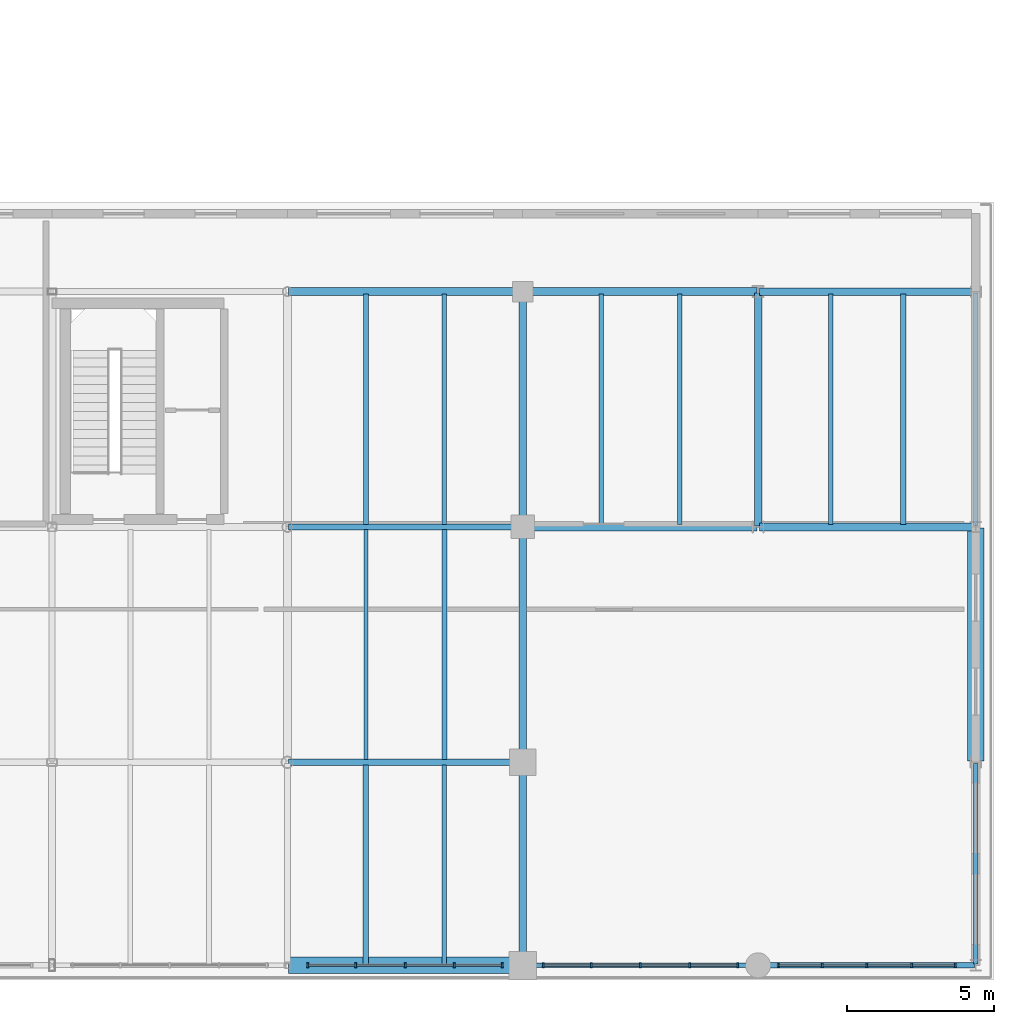
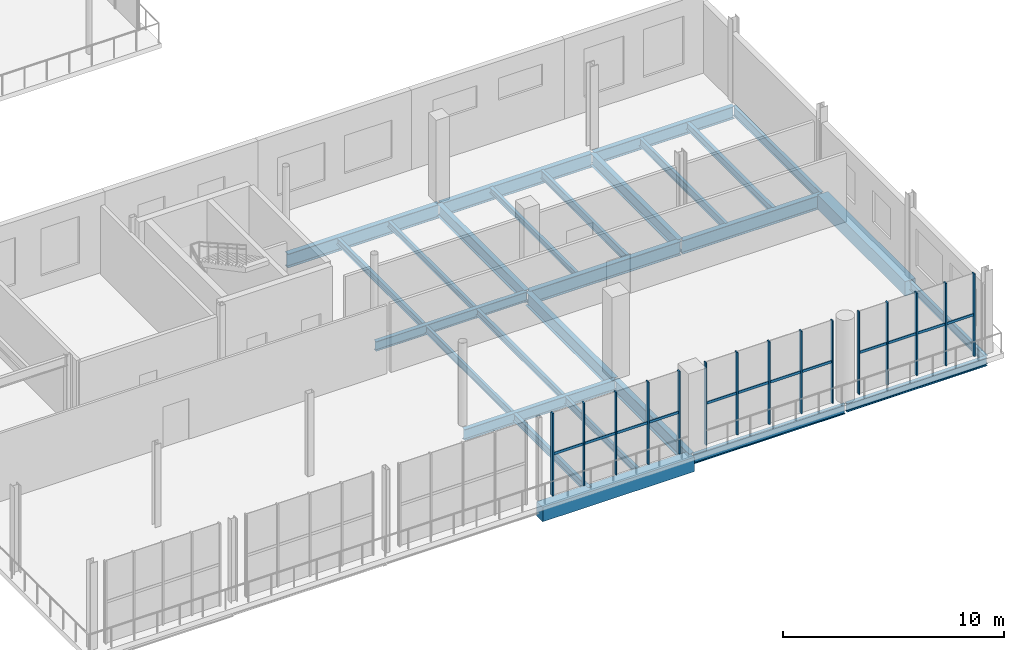
# One storey, part 38 of 70: 27 beams, 27 members, 3 elements without a shape of their own.
"""IFC4 building model written with IfcOpenShell, lengths in metres."""

from ifc_helpers import new_model, si_unit, direction, frame, origin, origin_2d, place, context, subcontext, project, spatial, rectangle, i_section, extrude, material, material_profile, profile_set, type_object, element, aggregate, save


model = new_model("IFC4")

# Units and contexts
model_context = context("Model", 3, precision=1e-05, world=origin(), true_north=direction((0.0, 1.0)))
body_context = subcontext(model_context, "Body", "Model", "MODEL_VIEW")
ifc_project = project(units=[si_unit("LENGTHUNIT", "METRE"), si_unit("AREAUNIT", "SQUARE_METRE"), si_unit("VOLUMEUNIT", "CUBIC_METRE"), si_unit("PLANEANGLEUNIT", "RADIAN"), si_unit("MASSUNIT", "GRAM", prefix="KILO")], contexts=[model_context])

# Site, building, storey
site_placement = place(None, origin())
site = spatial("IfcSite", under=ifc_project, at=site_placement, CompositionType="ELEMENT")
building_placement = place(site_placement, origin())
building = spatial("IfcBuilding", under=site, at=building_placement, Name="Brisemont Oceanarium", CompositionType="ELEMENT")
storey_placement = place(building_placement, frame((0.0, 0.0, 10.199951171875)))
storey = spatial("IfcBuildingStorey", under=building, at=storey_placement, Name="L02", CompositionType="ELEMENT", Elevation=10.199951171875)

# Beams
ifc_material_1 = material(Name="Concrete C40/50", Category="concrete")
ifc_material_profile_1 = material_profile(ifc_material_1, rectangle(XDim=0.550048828125, YDim=0.800048828125, at=origin_2d()), Name="RC-BM-550X800")
ifc_profile_set_1 = profile_set([ifc_material_profile_1], Name="Concrete C40/50")
beam_type_1 = type_object("IfcBeamType", Name="BM-RC550X800", PredefinedType="SPANDREL", material=ifc_profile_set_1)
for number, where, z_axis, x_axis, name in (
    (1, (136.0400390625, 1.10009765625, -0.679931640625), (1.0, 0.0, 0.0), (0.0, 1.0, 0.0), "V3 L02 EW girder"),
    (2, (159.39990234375, 8.0400390625, -0.679931640625), (0.0, 1.0, 0.0), (-1.0, 0.0, 0.0), "V3 L02 NS girder"),
):
    element("IfcBeam", number, at=place(storey_placement, frame(where, z_axis=z_axis, x_axis=x_axis)), inside=storey, type_object=beam_type_1, Name=name, PredefinedType="SPANDREL", context=body_context, shape_type="SweptSolid", body=[
        extrude(rectangle(XDim=0.550048828125, YDim=0.800048828125, at=origin_2d()), origin(), (0.0, 0.0, 1.0), 7.919921875),
    ])
ifc_material_2 = material(Name="Structural Steel ASTM A992 Gr.50", Category="steel")
ifc_material_profile_2 = material_profile(ifc_material_2, i_section(OverallWidth=0.1650390625, OverallDepth=0.31005859375, WebThickness=0.005859375, FlangeThickness=0.009765625, FilletRadius=0.008056640625, at=origin_2d()), Name="W12X26")
ifc_profile_set_2 = profile_set([ifc_material_profile_2], Name="Structural Steel ASTM A992 Gr.50")
beam_type_2 = type_object("IfcBeamType", Name="BM-W12X26", PredefinedType="JOIST", material=ifc_profile_set_2)
for number, where, z_axis, x_axis, name in (
    (3, (141.333251953125, 16.090087890625, -0.43505859375), (0.0, 1.0, 0.0), (-1.0, 0.0, 0.0), "V3 L02 secondary floor beam"),
    (4, (146.666748046875, 16.090087890625, -0.43505859375), (0.0, 1.0, 0.0), (-1.0, 0.0, 0.0), "V3 L02 secondary floor beam"),
):
    element("IfcBeam", number, at=place(storey_placement, frame(where, z_axis=z_axis, x_axis=x_axis)), inside=storey, type_object=beam_type_2, Name=name, PredefinedType="JOIST", context=body_context, shape_type="SweptSolid", body=[
        extrude(i_section(OverallWidth=0.1650390625, OverallDepth=0.31005859375, WebThickness=0.005859375, FlangeThickness=0.009765625, FilletRadius=0.008056640625, at=origin_2d()), origin(), (0.0, 0.0, 1.0), 7.81982421875),
    ])
ifc_material_3 = material(Name="Structural Steel ASTM A992 Gr.50", Category="steel")
ifc_material_profile_3 = material_profile(ifc_material_3, i_section(OverallWidth=0.1708984375, OverallDepth=0.35107421875, WebThickness=0.0068359375, FlangeThickness=0.009765625, FilletRadius=0.010009765625, at=origin_2d()), Name="W14X30")
ifc_profile_set_3 = profile_set([ifc_material_profile_3], Name="Structural Steel ASTM A992 Gr.50")
beam_type_3 = type_object("IfcBeamType", Name="BM-W14X30", PredefinedType="JOIST", material=ifc_profile_set_3)
for number, where, z_axis, x_axis, name in (
    (5, (141.333251953125, 8.090087890625, -0.45556640625), (0.0, 1.0, 0.0), (-1.0, 0.0, 0.0), "V3 L02 secondary floor beam"),
    (6, (138.666748046875, 16.090087890625, -0.45556640625), (0.0, 1.0, 0.0), (-1.0, 0.0, 0.0), "V3 L02 secondary floor beam"),
):
    element("IfcBeam", number, at=place(storey_placement, frame(where, z_axis=z_axis, x_axis=x_axis)), inside=storey, type_object=beam_type_3, Name=name, PredefinedType="JOIST", context=body_context, shape_type="SweptSolid", body=[
        extrude(i_section(OverallWidth=0.1708984375, OverallDepth=0.35107421875, WebThickness=0.0068359375, FlangeThickness=0.009765625, FilletRadius=0.010009765625, at=origin_2d()), origin(), (0.0, 0.0, 1.0), 7.81982421875),
    ])
ifc_material_4 = material(Name="Structural Steel ASTM A992 Gr.50", Category="steel")
ifc_material_profile_4 = material_profile(ifc_material_4, i_section(OverallWidth=0.139892578125, OverallDepth=0.39892578125, WebThickness=0.00634765625, FlangeThickness=0.0087890625, FilletRadius=0.010009765625, at=origin_2d()), Name="W16X26")
ifc_profile_set_4 = profile_set([ifc_material_profile_4], Name="Structural Steel ASTM A992 Gr.50")
beam_type_4 = type_object("IfcBeamType", Name="BM-W16X26", PredefinedType="JOIST", material=ifc_profile_set_4)
beam_1_placement = place(storey_placement, frame((141.333251953125, 1.139892578125, -0.4794921875), z_axis=(0.0, 1.0, 0.0), x_axis=(-1.0, 0.0, 0.0)))
element("IfcBeam", 7, at=beam_1_placement, inside=storey, type_object=beam_type_4, Name="V3 L02 secondary floor beam", PredefinedType="JOIST", context=body_context, shape_type="SweptSolid", body=[
    extrude(i_section(OverallWidth=0.139892578125, OverallDepth=0.39892578125, WebThickness=0.00634765625, FlangeThickness=0.0087890625, FilletRadius=0.010009765625, at=origin_2d()), origin(), (0.0, 0.0, 1.0), 6.77001953125),
])
beam_2_placement = place(storey_placement, frame((138.666748046875, 8.090087890625, -0.4794921875), z_axis=(0.0, 1.0, 0.0), x_axis=(-1.0, 0.0, 0.0)))
element("IfcBeam", 8, at=beam_2_placement, inside=storey, type_object=beam_type_4, Name="V3 L02 secondary floor beam", PredefinedType="JOIST", context=body_context, shape_type="SweptSolid", body=[
    extrude(i_section(OverallWidth=0.139892578125, OverallDepth=0.39892578125, WebThickness=0.00634765625, FlangeThickness=0.0087890625, FilletRadius=0.010009765625, at=origin_2d()), origin(), (0.0, 0.0, 1.0), 7.81982421875),
])
ifc_material_5 = material(Name="Structural Steel ASTM A992 Gr.50", Category="steel")
ifc_material_profile_5 = material_profile(ifc_material_5, i_section(OverallWidth=0.177978515625, OverallDepth=0.404052734375, WebThickness=0.007568359375, FlangeThickness=0.010986328125, FilletRadius=0.010009765625, at=origin_2d()), Name="W16X36")
ifc_profile_set_5 = profile_set([ifc_material_profile_5], Name="Structural Steel ASTM A992 Gr.50")
beam_type_5 = type_object("IfcBeamType", Name="BM-W16X36", PredefinedType="JOIST", material=ifc_profile_set_5)
beam_3_placement = place(storey_placement, frame((138.666748046875, 1.139892578125, -0.48193359375), z_axis=(0.0, 1.0, 0.0), x_axis=(-1.0, 0.0, 0.0)))
element("IfcBeam", 9, at=beam_3_placement, inside=storey, type_object=beam_type_5, Name="V3 L02 secondary floor beam", PredefinedType="JOIST", context=body_context, shape_type="SweptSolid", body=[
    extrude(i_section(OverallWidth=0.177978515625, OverallDepth=0.404052734375, WebThickness=0.007568359375, FlangeThickness=0.010986328125, FilletRadius=0.010009765625, at=origin_2d()), origin(), (0.0, 0.0, 1.0), 6.77001953125),
])
beam_4_placement = place(storey_placement, frame((156.933349609375, 16.090087890625, -0.48193359375), z_axis=(0.0, 1.0, 0.0), x_axis=(-1.0, 0.0, 0.0)))
element("IfcBeam", 10, at=beam_4_placement, inside=storey, type_object=beam_type_5, Name="V3 L02 secondary floor beam", PredefinedType="JOIST", context=body_context, shape_type="SweptSolid", body=[
    extrude(i_section(OverallWidth=0.177978515625, OverallDepth=0.404052734375, WebThickness=0.007568359375, FlangeThickness=0.010986328125, FilletRadius=0.010009765625, at=origin_2d()), origin(), (0.0, 0.0, 1.0), 7.81982421875),
])
ifc_material_6 = material(Name="Structural Steel ASTM A992 Gr.50", Category="steel")
ifc_material_profile_6 = material_profile(ifc_material_6, i_section(OverallWidth=0.153076171875, OverallDepth=0.455078125, WebThickness=0.008056640625, FlangeThickness=0.01318359375, FilletRadius=0.010986328125, at=origin_2d()), Name="W18X40")
ifc_profile_set_6 = profile_set([ifc_material_profile_6], Name="Structural Steel ASTM A992 Gr.50")
beam_type_6 = type_object("IfcBeamType", Name="BM-W18X40", PredefinedType="JOIST", material=ifc_profile_set_6)
for number, where, z_axis, x_axis, name in (
    (11, (149.333251953125, 16.090087890625, -0.507568359375), (0.0, 1.0, 0.0), (-1.0, 0.0, 0.0), "V3 L02 secondary floor beam"),
    (12, (154.466796875, 16.090087890625, -0.507568359375), (0.0, 1.0, 0.0), (-1.0, 0.0, 0.0), "V3 L02 secondary floor beam"),
):
    element("IfcBeam", number, at=place(storey_placement, frame(where, z_axis=z_axis, x_axis=x_axis)), inside=storey, type_object=beam_type_6, Name=name, PredefinedType="JOIST", context=body_context, shape_type="SweptSolid", body=[
        extrude(i_section(OverallWidth=0.153076171875, OverallDepth=0.455078125, WebThickness=0.008056640625, FlangeThickness=0.01318359375, FilletRadius=0.010986328125, at=origin_2d()), origin(), (0.0, 0.0, 1.0), 7.81982421875),
    ])
ifc_material_7 = material(Name="Structural Steel ASTM A992 Gr.50", Category="steel")
ifc_material_profile_7 = material_profile(ifc_material_7, i_section(OverallWidth=0.154052734375, OverallDepth=0.458984375, WebThickness=0.009033203125, FlangeThickness=0.015380859375, FilletRadius=0.010986328125, at=origin_2d()), Name="W18X46")
ifc_profile_set_7 = profile_set([ifc_material_profile_7], Name="Structural Steel ASTM A992 Gr.50")
beam_type_7 = type_object("IfcBeamType", Name="BM-W18X46", PredefinedType="SPANDREL", material=ifc_profile_set_7)
beam_5_placement = place(storey_placement, frame((159.39990234375, 1.139892578125, -0.509521484375), z_axis=(0.0, 1.0, 0.0), x_axis=(-1.0, 0.0, 0.0)))
element("IfcBeam", 13, at=beam_5_placement, inside=storey, type_object=beam_type_7, Name="V3 L02 NS girder", PredefinedType="SPANDREL", context=body_context, shape_type="SweptSolid", body=[
    extrude(i_section(OverallWidth=0.154052734375, OverallDepth=0.458984375, WebThickness=0.009033203125, FlangeThickness=0.015380859375, FilletRadius=0.010986328125, at=origin_2d()), origin(), (0.0, 0.0, 1.0), 6.820068359375),
])
ifc_material_8 = material(Name="Structural Steel ASTM A992 Gr.50", Category="steel")
ifc_material_profile_8 = material_profile(ifc_material_8, i_section(OverallWidth=0.19091796875, OverallDepth=0.4599609375, WebThickness=0.010009765625, FlangeThickness=0.01611328125, FilletRadius=0.010986328125, at=origin_2d()), Name="W18X55")
ifc_profile_set_8 = profile_set([ifc_material_profile_8], Name="Structural Steel ASTM A992 Gr.50")
beam_type_8 = type_object("IfcBeamType", Name="BM-W18X55", PredefinedType="SPANDREL", material=ifc_profile_set_8)
beam_6_placement = place(storey_placement, frame((152.0400390625, 1.10009765625, -0.510009765625), z_axis=(1.0, 0.0, 0.0), x_axis=(0.0, 1.0, 0.0)))
element("IfcBeam", 14, at=beam_6_placement, inside=storey, type_object=beam_type_8, Name="V3 L02 EW girder", PredefinedType="SPANDREL", context=body_context, shape_type="SweptSolid", body=[
    extrude(i_section(OverallWidth=0.19091796875, OverallDepth=0.4599609375, WebThickness=0.010009765625, FlangeThickness=0.01611328125, FilletRadius=0.010986328125, at=origin_2d()), origin(), (0.0, 0.0, 1.0), 7.320068359375),
])
ifc_material_9 = material(Name="Structural Steel ASTM A992 Gr.50", Category="steel")
ifc_material_profile_9 = material_profile(ifc_material_9, i_section(OverallWidth=0.166015625, OverallDepth=0.528076171875, WebThickness=0.009765625, FlangeThickness=0.013671875, FilletRadius=0.012939453125, at=origin_2d()), Name="W21X50")
ifc_profile_set_9 = profile_set([ifc_material_profile_9], Name="Structural Steel ASTM A992 Gr.50")
beam_type_9 = type_object("IfcBeamType", Name="BM-W21X50", PredefinedType="SPANDREL", material=ifc_profile_set_9)
for number, where, z_axis, x_axis, name in (
    (15, (144.0400390625, 1.10009765625, -0.5439453125), (1.0, 0.0, 0.0), (0.0, 1.0, 0.0), "V3 L02 EW girder"),
    (16, (159.39990234375, 16.0400390625, -0.5439453125), (0.0, 1.0, 0.0), (-1.0, 0.0, 0.0), "V3 L02 NS girder"),
):
    element("IfcBeam", number, at=place(storey_placement, frame(where, z_axis=z_axis, x_axis=x_axis)), inside=storey, type_object=beam_type_9, Name=name, PredefinedType="SPANDREL", context=body_context, shape_type="SweptSolid", body=[
        extrude(i_section(OverallWidth=0.166015625, OverallDepth=0.528076171875, WebThickness=0.009765625, FlangeThickness=0.013671875, FilletRadius=0.012939453125, at=origin_2d()), origin(), (0.0, 0.0, 1.0), 7.919921875),
    ])
ifc_material_10 = material(Name="Structural Steel ASTM A992 Gr.50", Category="steel")
ifc_material_profile_10 = material_profile(ifc_material_10, i_section(OverallWidth=0.2099609375, OverallDepth=0.532958984375, WebThickness=0.01025390625, FlangeThickness=0.015625, FilletRadius=0.012939453125, at=origin_2d()), Name="W21X62")
ifc_profile_set_10 = profile_set([ifc_material_profile_10], Name="Structural Steel ASTM A992 Gr.50")
beam_type_10 = type_object("IfcBeamType", Name="BM-W21X62", PredefinedType="BEAM", material=ifc_profile_set_10)
beam_7_placement = place(storey_placement, frame((136.0400390625, 16.0, -0.54638671875), z_axis=(1.0, 0.0, 0.0), x_axis=(0.0, 1.0, 0.0)))
element("IfcBeam", 17, at=beam_7_placement, inside=storey, type_object=beam_type_10, Name="V3 L02 EW girder", PredefinedType="BEAM", context=body_context, shape_type="SweptSolid", body=[
    extrude(i_section(OverallWidth=0.2099609375, OverallDepth=0.532958984375, WebThickness=0.01025390625, FlangeThickness=0.015625, FilletRadius=0.012939453125, at=origin_2d()), origin(), (0.0, 0.0, 1.0), 7.919921875),
])
ifc_material_11 = material(Name="Structural Steel ASTM A992 Gr.50", Category="steel")
ifc_material_profile_11 = material_profile(ifc_material_11, i_section(OverallWidth=0.22802734375, OverallDepth=0.60205078125, WebThickness=0.010498046875, FlangeThickness=0.014892578125, FilletRadius=0.012939453125, at=origin_2d()), Name="W24X68")
ifc_profile_set_11 = profile_set([ifc_material_profile_11], Name="Structural Steel ASTM A992 Gr.50")
beam_type_11 = type_object("IfcBeamType", Name="BM-W24X68", PredefinedType="BEAM", material=ifc_profile_set_11)
beam_8_placement = place(storey_placement, frame((136.0400390625, 8.0, -0.5810546875), z_axis=(1.0, 0.0, 0.0), x_axis=(0.0, 1.0, 0.0)))
element("IfcBeam", 18, at=beam_8_placement, inside=storey, type_object=beam_type_11, Name="V3 L02 EW girder", PredefinedType="BEAM", context=body_context, shape_type="SweptSolid", body=[
    extrude(i_section(OverallWidth=0.22802734375, OverallDepth=0.60205078125, WebThickness=0.010498046875, FlangeThickness=0.014892578125, FilletRadius=0.012939453125, at=origin_2d()), origin(), (0.0, 0.0, 1.0), 7.919921875),
])
ifc_material_12 = material(Name="Structural Steel ASTM A992 Gr.50", Category="steel")
ifc_material_profile_12 = material_profile(ifc_material_12, i_section(OverallWidth=0.2529296875, OverallDepth=0.677978515625, WebThickness=0.01171875, FlangeThickness=0.016357421875, FilletRadius=0.014892578125, at=origin_2d()), Name="W27X84")
ifc_profile_set_12 = profile_set([ifc_material_profile_12], Name="Structural Steel ASTM A992 Gr.50")
beam_type_12 = type_object("IfcBeamType", Name="BM-W27X84", PredefinedType="BEAM", material=ifc_profile_set_12)
beam_9_placement = place(storey_placement, frame((152.0, 16.0400390625, -0.618896484375), z_axis=(0.0, 1.0, 0.0), x_axis=(-1.0, 0.0, 0.0)))
element("IfcBeam", 19, at=beam_9_placement, inside=storey, type_object=beam_type_12, Name="V3 L02 NS girder", PredefinedType="BEAM", context=body_context, shape_type="SweptSolid", body=[
    extrude(i_section(OverallWidth=0.2529296875, OverallDepth=0.677978515625, WebThickness=0.01171875, FlangeThickness=0.016357421875, FilletRadius=0.014892578125, at=origin_2d()), origin(), (0.0, 0.0, 1.0), 7.919921875),
])
ifc_material_13 = material(Name="Structural Steel ASTM A992 Gr.50", Category="steel")
ifc_material_profile_13 = material_profile(ifc_material_13, i_section(OverallWidth=0.25390625, OverallDepth=0.68310546875, WebThickness=0.012451171875, FlangeThickness=0.018798828125, FilletRadius=0.014892578125, at=origin_2d()), Name="W27X94")
ifc_profile_set_13 = profile_set([ifc_material_profile_13], Name="Structural Steel ASTM A992 Gr.50")
beam_type_13 = type_object("IfcBeamType", Name="BM-W27X94", PredefinedType="BEAM", material=ifc_profile_set_13)
beam_10_placement = place(storey_placement, frame((152.0400390625, 24.0, -0.621337890625), z_axis=(1.0, 0.0, 0.0), x_axis=(0.0, 1.0, 0.0)))
element("IfcBeam", 20, at=beam_10_placement, inside=storey, type_object=beam_type_13, Name="V3 L02 EW girder", PredefinedType="BEAM", context=body_context, shape_type="SweptSolid", body=[
    extrude(i_section(OverallWidth=0.25390625, OverallDepth=0.68310546875, WebThickness=0.012451171875, FlangeThickness=0.018798828125, FilletRadius=0.014892578125, at=origin_2d()), origin(), (0.0, 0.0, 1.0), 7.320068359375),
])
beam_11_placement = place(storey_placement, frame((144.0, 16.0400390625, -0.621337890625), z_axis=(0.0, 1.0, 0.0), x_axis=(-1.0, 0.0, 0.0)))
element("IfcBeam", 21, at=beam_11_placement, inside=storey, type_object=beam_type_13, Name="V3 L02 NS girder", PredefinedType="BEAM", context=body_context, shape_type="SweptSolid", body=[
    extrude(i_section(OverallWidth=0.25390625, OverallDepth=0.68310546875, WebThickness=0.012451171875, FlangeThickness=0.018798828125, FilletRadius=0.014892578125, at=origin_2d()), origin(), (0.0, 0.0, 1.0), 7.919921875),
])
ifc_material_14 = material(Name="Structural Steel ASTM A992 Gr.50", Category="steel")
ifc_material_profile_14 = material_profile(ifc_material_14, i_section(OverallWidth=0.26708984375, OverallDepth=0.761962890625, WebThickness=0.014404296875, FlangeThickness=0.021484375, FilletRadius=0.01611328125, at=origin_2d()), Name="W30X116")
ifc_profile_set_14 = profile_set([ifc_material_profile_14], Name="Structural Steel ASTM A992 Gr.50")
beam_type_14 = type_object("IfcBeamType", Name="BM-W30X116", PredefinedType="BEAM", material=ifc_profile_set_14)
for number, where, z_axis, x_axis, name in (
    (22, (144.0400390625, 16.0, -0.660888671875), (1.0, 0.0, 0.0), (0.0, 1.0, 0.0), "V3 L02 EW girder"),
    (23, (136.0400390625, 24.0, -0.660888671875), (1.0, 0.0, 0.0), (0.0, 1.0, 0.0), "V3 L02 EW girder"),
):
    element("IfcBeam", number, at=place(storey_placement, frame(where, z_axis=z_axis, x_axis=x_axis)), inside=storey, type_object=beam_type_14, Name=name, PredefinedType="BEAM", context=body_context, shape_type="SweptSolid", body=[
        extrude(i_section(OverallWidth=0.26708984375, OverallDepth=0.761962890625, WebThickness=0.014404296875, FlangeThickness=0.021484375, FilletRadius=0.01611328125, at=origin_2d()), origin(), (0.0, 0.0, 1.0), 7.919921875),
    ])
beam_12_placement = place(storey_placement, frame((144.0, 1.139892578125, -0.660888671875), z_axis=(0.0, 1.0, 0.0), x_axis=(-1.0, 0.0, 0.0)))
element("IfcBeam", 24, at=beam_12_placement, inside=storey, type_object=beam_type_14, Name="V3 L02 NS girder", PredefinedType="BEAM", context=body_context, shape_type="SweptSolid", body=[
    extrude(i_section(OverallWidth=0.26708984375, OverallDepth=0.761962890625, WebThickness=0.014404296875, FlangeThickness=0.021484375, FilletRadius=0.01611328125, at=origin_2d()), origin(), (0.0, 0.0, 1.0), 6.820068359375),
])
ifc_material_15 = material(Name="Structural Steel ASTM A992 Gr.50", Category="steel")
ifc_material_profile_15 = material_profile(ifc_material_15, i_section(OverallWidth=0.264892578125, OverallDepth=0.7529296875, WebThickness=0.01318359375, FlangeThickness=0.01708984375, FilletRadius=0.01611328125, at=origin_2d()), Name="W30X99")
ifc_profile_set_15 = profile_set([ifc_material_profile_15], Name="Structural Steel ASTM A992 Gr.50")
beam_type_15 = type_object("IfcBeamType", Name="BM-W30X99", PredefinedType="BEAM", material=ifc_profile_set_15)
beam_13_placement = place(storey_placement, frame((152.0400390625, 16.0, -0.656494140625), z_axis=(1.0, 0.0, 0.0), x_axis=(0.0, 1.0, 0.0)))
element("IfcBeam", 25, at=beam_13_placement, inside=storey, type_object=beam_type_15, Name="V3 L02 EW girder", PredefinedType="BEAM", context=body_context, shape_type="SweptSolid", body=[
    extrude(i_section(OverallWidth=0.264892578125, OverallDepth=0.7529296875, WebThickness=0.01318359375, FlangeThickness=0.01708984375, FilletRadius=0.01611328125, at=origin_2d()), origin(), (0.0, 0.0, 1.0), 7.320068359375),
])
for number, where, z_axis, x_axis, name in (
    (26, (144.0400390625, 24.0, -0.656494140625), (1.0, 0.0, 0.0), (0.0, 1.0, 0.0), "V3 L02 EW girder"),
    (27, (144.0, 8.0400390625, -0.656494140625), (0.0, 1.0, 0.0), (-1.0, 0.0, 0.0), "V3 L02 NS girder"),
):
    element("IfcBeam", number, at=place(storey_placement, frame(where, z_axis=z_axis, x_axis=x_axis)), inside=storey, type_object=beam_type_15, Name=name, PredefinedType="BEAM", context=body_context, shape_type="SweptSolid", body=[
        extrude(i_section(OverallWidth=0.264892578125, OverallDepth=0.7529296875, WebThickness=0.01318359375, FlangeThickness=0.01708984375, FilletRadius=0.01611328125, at=origin_2d()), origin(), (0.0, 0.0, 1.0), 7.919921875),
    ])

# Curtain wall, members
ifc_material_16 = material(Name="Anodized Extruded Aluminum 6063-T6", Category="aluminium")
curtain_wall_type = type_object("IfcCurtainWallType", Name="CW-EDU-69X43", PredefinedType="NOTDEFINED", material=ifc_material_16)
curtain_wall_1_placement = place(storey_placement, origin())
curtain_wall_1 = element("IfcCurtainWall", 28, at=curtain_wall_1_placement, inside=storey, type_object=curtain_wall_type, Name="CW-09 curtain wall CW-V3-S-L02-04", PredefinedType="NOTDEFINED")
ifc_material_17 = material(Name="Anodized Extruded Aluminum 6063-T6", Category="aluminium")
ifc_material_profile_16 = material_profile(ifc_material_17, rectangle(XDim=0.06494140625, YDim=0.179931640625, at=origin_2d()), Name="CWM-65X180")
ifc_profile_set_16 = profile_set([ifc_material_profile_16], Name="Anodized Extruded Aluminum 6063-T6")
member_type_1 = type_object("IfcMemberType", Name="MEM-CWM-65", PredefinedType="MULLION", material=ifc_profile_set_16)
member_1_placement = place(storey_placement, frame((136.695068359375, 1.10009765625, 0.0), z_axis=(0.0, 0.0, 1.0), x_axis=(1.0, 0.0, 0.0)))
member_1 = element("IfcMember", 29, at=member_1_placement, type_object=member_type_1, Name="CW-V3-S-L02-04 mullion 1", PredefinedType="MULLION", context=body_context, shape_type="SweptSolid", body=[
    extrude(rectangle(XDim=0.06494140625, YDim=0.179931640625, at=origin_2d()), origin(), (0.0, 0.0, 1.0), 4.56005859375),
])
member_2_placement = place(storey_placement, frame((138.324951171875, 1.10009765625, 0.0), z_axis=(0.0, 0.0, 1.0), x_axis=(1.0, 0.0, 0.0)))
member_2 = element("IfcMember", 30, at=member_2_placement, type_object=member_type_1, Name="CW-V3-S-L02-04 mullion 2", PredefinedType="MULLION", context=body_context, shape_type="SweptSolid", body=[
    extrude(rectangle(XDim=0.06494140625, YDim=0.179931640625, at=origin_2d()), origin(), (0.0, 0.0, 1.0), 4.56005859375),
])
member_3_placement = place(storey_placement, frame((140.0, 1.10009765625, 0.0), z_axis=(0.0, 0.0, 1.0), x_axis=(1.0, 0.0, 0.0)))
member_3 = element("IfcMember", 31, at=member_3_placement, type_object=member_type_1, Name="CW-V3-S-L02-04 mullion 3", PredefinedType="MULLION", context=body_context, shape_type="SweptSolid", body=[
    extrude(rectangle(XDim=0.06494140625, YDim=0.179931640625, at=origin_2d()), origin(), (0.0, 0.0, 1.0), 4.56005859375),
])
member_4_placement = place(storey_placement, frame((141.675048828125, 1.10009765625, 0.0), z_axis=(0.0, 0.0, 1.0), x_axis=(1.0, 0.0, 0.0)))
member_4 = element("IfcMember", 32, at=member_4_placement, type_object=member_type_1, Name="CW-V3-S-L02-04 mullion 4", PredefinedType="MULLION", context=body_context, shape_type="SweptSolid", body=[
    extrude(rectangle(XDim=0.06494140625, YDim=0.179931640625, at=origin_2d()), origin(), (0.0, 0.0, 1.0), 4.56005859375),
])
member_5_placement = place(storey_placement, frame((143.304931640625, 1.10009765625, 0.0), z_axis=(0.0, 0.0, 1.0), x_axis=(1.0, 0.0, 0.0)))
member_5 = element("IfcMember", 33, at=member_5_placement, type_object=member_type_1, Name="CW-V3-S-L02-04 mullion 5", PredefinedType="MULLION", context=body_context, shape_type="SweptSolid", body=[
    extrude(rectangle(XDim=0.06494140625, YDim=0.179931640625, at=origin_2d()), origin(), (0.0, 0.0, 1.0), 4.56005859375),
])

curtain_wall_2_placement = place(storey_placement, origin())
curtain_wall_2 = element("IfcCurtainWall", 34, at=curtain_wall_2_placement, inside=storey, type_object=curtain_wall_type, Name="CW-09 curtain wall CW-V3-S-L02-05", PredefinedType="NOTDEFINED")
member_6_placement = place(storey_placement, frame((144.695068359375, 1.10009765625, 0.0), z_axis=(0.0, 0.0, 1.0), x_axis=(1.0, 0.0, 0.0)))
member_6 = element("IfcMember", 35, at=member_6_placement, type_object=member_type_1, Name="CW-V3-S-L02-05 mullion 1", PredefinedType="MULLION", context=body_context, shape_type="SweptSolid", body=[
    extrude(rectangle(XDim=0.06494140625, YDim=0.179931640625, at=origin_2d()), origin(), (0.0, 0.0, 1.0), 4.56005859375),
])
member_7_placement = place(storey_placement, frame((146.324951171875, 1.10009765625, 0.0), z_axis=(0.0, 0.0, 1.0), x_axis=(1.0, 0.0, 0.0)))
member_7 = element("IfcMember", 36, at=member_7_placement, type_object=member_type_1, Name="CW-V3-S-L02-05 mullion 2", PredefinedType="MULLION", context=body_context, shape_type="SweptSolid", body=[
    extrude(rectangle(XDim=0.06494140625, YDim=0.179931640625, at=origin_2d()), origin(), (0.0, 0.0, 1.0), 4.56005859375),
])
member_8_placement = place(storey_placement, frame((148.0, 1.10009765625, 0.0), z_axis=(0.0, 0.0, 1.0), x_axis=(1.0, 0.0, 0.0)))
member_8 = element("IfcMember", 37, at=member_8_placement, type_object=member_type_1, Name="CW-V3-S-L02-05 mullion 3", PredefinedType="MULLION", context=body_context, shape_type="SweptSolid", body=[
    extrude(rectangle(XDim=0.06494140625, YDim=0.179931640625, at=origin_2d()), origin(), (0.0, 0.0, 1.0), 4.56005859375),
])
member_9_placement = place(storey_placement, frame((149.675048828125, 1.10009765625, 0.0), z_axis=(0.0, 0.0, 1.0), x_axis=(1.0, 0.0, 0.0)))
member_9 = element("IfcMember", 38, at=member_9_placement, type_object=member_type_1, Name="CW-V3-S-L02-05 mullion 4", PredefinedType="MULLION", context=body_context, shape_type="SweptSolid", body=[
    extrude(rectangle(XDim=0.06494140625, YDim=0.179931640625, at=origin_2d()), origin(), (0.0, 0.0, 1.0), 4.56005859375),
])
member_10_placement = place(storey_placement, frame((151.304931640625, 1.10009765625, 0.0), z_axis=(0.0, 0.0, 1.0), x_axis=(1.0, 0.0, 0.0)))
member_10 = element("IfcMember", 39, at=member_10_placement, type_object=member_type_1, Name="CW-V3-S-L02-05 mullion 5", PredefinedType="MULLION", context=body_context, shape_type="SweptSolid", body=[
    extrude(rectangle(XDim=0.06494140625, YDim=0.179931640625, at=origin_2d()), origin(), (0.0, 0.0, 1.0), 4.56005859375),
])

curtain_wall_3_placement = place(storey_placement, origin())
curtain_wall_3 = element("IfcCurtainWall", 40, at=curtain_wall_3_placement, inside=storey, type_object=curtain_wall_type, Name="CW-09 curtain wall CW-V3-S-L02-06", PredefinedType="NOTDEFINED")
member_11_placement = place(storey_placement, frame((152.695068359375, 1.10009765625, 0.0), z_axis=(0.0, 0.0, 1.0), x_axis=(1.0, 0.0, 0.0)))
member_11 = element("IfcMember", 41, at=member_11_placement, type_object=member_type_1, Name="CW-V3-S-L02-06 mullion 1", PredefinedType="MULLION", context=body_context, shape_type="SweptSolid", body=[
    extrude(rectangle(XDim=0.06494140625, YDim=0.179931640625, at=origin_2d()), origin(), (0.0, 0.0, 1.0), 4.56005859375),
])
member_12_placement = place(storey_placement, frame((154.175048828125, 1.10009765625, 0.0), z_axis=(0.0, 0.0, 1.0), x_axis=(1.0, 0.0, 0.0)))
member_12 = element("IfcMember", 42, at=member_12_placement, type_object=member_type_1, Name="CW-V3-S-L02-06 mullion 2", PredefinedType="MULLION", context=body_context, shape_type="SweptSolid", body=[
    extrude(rectangle(XDim=0.06494140625, YDim=0.179931640625, at=origin_2d()), origin(), (0.0, 0.0, 1.0), 4.56005859375),
])
member_13_placement = place(storey_placement, frame((155.699951171875, 1.10009765625, 0.0), z_axis=(0.0, 0.0, 1.0), x_axis=(1.0, 0.0, 0.0)))
member_13 = element("IfcMember", 43, at=member_13_placement, type_object=member_type_1, Name="CW-V3-S-L02-06 mullion 3", PredefinedType="MULLION", context=body_context, shape_type="SweptSolid", body=[
    extrude(rectangle(XDim=0.06494140625, YDim=0.179931640625, at=origin_2d()), origin(), (0.0, 0.0, 1.0), 4.56005859375),
])
member_14_placement = place(storey_placement, frame((157.22509765625, 1.10009765625, 0.0), z_axis=(0.0, 0.0, 1.0), x_axis=(1.0, 0.0, 0.0)))
member_14 = element("IfcMember", 44, at=member_14_placement, type_object=member_type_1, Name="CW-V3-S-L02-06 mullion 4", PredefinedType="MULLION", context=body_context, shape_type="SweptSolid", body=[
    extrude(rectangle(XDim=0.06494140625, YDim=0.179931640625, at=origin_2d()), origin(), (0.0, 0.0, 1.0), 4.56005859375),
])
member_15_placement = place(storey_placement, frame((158.705078125, 1.10009765625, 0.0), z_axis=(0.0, 0.0, 1.0), x_axis=(1.0, 0.0, 0.0)))
member_15 = element("IfcMember", 45, at=member_15_placement, type_object=member_type_1, Name="CW-V3-S-L02-06 mullion 5", PredefinedType="MULLION", context=body_context, shape_type="SweptSolid", body=[
    extrude(rectangle(XDim=0.06494140625, YDim=0.179931640625, at=origin_2d()), origin(), (0.0, 0.0, 1.0), 4.56005859375),
])

# Member
ifc_material_18 = material(Name="Anodized Extruded Aluminum 6063-T6", Category="aluminium")
ifc_material_profile_17 = material_profile(ifc_material_18, rectangle(XDim=0.06494140625, YDim=0.139892578125, at=origin_2d()), Name="CWT-65X140")
ifc_profile_set_17 = profile_set([ifc_material_profile_17], Name="Anodized Extruded Aluminum 6063-T6")
member_type_2 = type_object("IfcMemberType", Name="MEM-CWT-65", PredefinedType="USERDEFINED", material=ifc_profile_set_17)
member_16_placement = place(storey_placement, frame((136.6650390625, 1.10009765625, 2.280029296875), z_axis=(1.0, 0.0, 0.0), x_axis=(0.0, 1.0, 0.0)))
member_16 = element("IfcMember", 46, at=member_16_placement, type_object=member_type_2, Name="CW-V3-S-L02-04 transom 1.1", ObjectType="TRANSOM", PredefinedType="USERDEFINED", context=body_context, shape_type="SweptSolid", body=[
    extrude(rectangle(XDim=0.06494140625, YDim=0.139892578125, at=origin_2d()), origin(), (0.0, 0.0, 1.0), 1.64501953125),
])

member_17_placement = place(storey_placement, frame((138.340087890625, 1.10009765625, 2.280029296875), z_axis=(1.0, 0.0, 0.0), x_axis=(0.0, 1.0, 0.0)))
member_17 = element("IfcMember", 47, at=member_17_placement, type_object=member_type_2, Name="CW-V3-S-L02-04 transom 2.1", ObjectType="TRANSOM", PredefinedType="USERDEFINED", context=body_context, shape_type="SweptSolid", body=[
    extrude(rectangle(XDim=0.06494140625, YDim=0.139892578125, at=origin_2d()), origin(), (0.0, 0.0, 1.0), 1.64501953125),
])

member_18_placement = place(storey_placement, frame((140.014892578125, 1.10009765625, 2.280029296875), z_axis=(1.0, 0.0, 0.0), x_axis=(0.0, 1.0, 0.0)))
member_18 = element("IfcMember", 48, at=member_18_placement, type_object=member_type_2, Name="CW-V3-S-L02-04 transom 3.1", ObjectType="TRANSOM", PredefinedType="USERDEFINED", context=body_context, shape_type="SweptSolid", body=[
    extrude(rectangle(XDim=0.06494140625, YDim=0.139892578125, at=origin_2d()), origin(), (0.0, 0.0, 1.0), 1.64501953125),
])

member_19_placement = place(storey_placement, frame((141.68994140625, 1.10009765625, 2.280029296875), z_axis=(1.0, 0.0, 0.0), x_axis=(0.0, 1.0, 0.0)))
member_19 = element("IfcMember", 49, at=member_19_placement, type_object=member_type_2, Name="CW-V3-S-L02-04 transom 4.1", ObjectType="TRANSOM", PredefinedType="USERDEFINED", context=body_context, shape_type="SweptSolid", body=[
    extrude(rectangle(XDim=0.06494140625, YDim=0.139892578125, at=origin_2d()), origin(), (0.0, 0.0, 1.0), 1.64501953125),
])

aggregate(curtain_wall_1, [member_1, member_2, member_3, member_4, member_5, member_16, member_17, member_18, member_19])

member_20_placement = place(storey_placement, frame((144.6650390625, 1.10009765625, 2.280029296875), z_axis=(1.0, 0.0, 0.0), x_axis=(0.0, 1.0, 0.0)))
member_20 = element("IfcMember", 50, at=member_20_placement, type_object=member_type_2, Name="CW-V3-S-L02-05 transom 1.1", ObjectType="TRANSOM", PredefinedType="USERDEFINED", context=body_context, shape_type="SweptSolid", body=[
    extrude(rectangle(XDim=0.06494140625, YDim=0.139892578125, at=origin_2d()), origin(), (0.0, 0.0, 1.0), 1.64501953125),
])

member_21_placement = place(storey_placement, frame((146.340087890625, 1.10009765625, 2.280029296875), z_axis=(1.0, 0.0, 0.0), x_axis=(0.0, 1.0, 0.0)))
member_21 = element("IfcMember", 51, at=member_21_placement, type_object=member_type_2, Name="CW-V3-S-L02-05 transom 2.1", ObjectType="TRANSOM", PredefinedType="USERDEFINED", context=body_context, shape_type="SweptSolid", body=[
    extrude(rectangle(XDim=0.06494140625, YDim=0.139892578125, at=origin_2d()), origin(), (0.0, 0.0, 1.0), 1.64501953125),
])

member_22_placement = place(storey_placement, frame((148.014892578125, 1.10009765625, 2.280029296875), z_axis=(1.0, 0.0, 0.0), x_axis=(0.0, 1.0, 0.0)))
member_22 = element("IfcMember", 52, at=member_22_placement, type_object=member_type_2, Name="CW-V3-S-L02-05 transom 3.1", ObjectType="TRANSOM", PredefinedType="USERDEFINED", context=body_context, shape_type="SweptSolid", body=[
    extrude(rectangle(XDim=0.06494140625, YDim=0.139892578125, at=origin_2d()), origin(), (0.0, 0.0, 1.0), 1.64501953125),
])

member_23_placement = place(storey_placement, frame((149.68994140625, 1.10009765625, 2.280029296875), z_axis=(1.0, 0.0, 0.0), x_axis=(0.0, 1.0, 0.0)))
member_23 = element("IfcMember", 53, at=member_23_placement, type_object=member_type_2, Name="CW-V3-S-L02-05 transom 4.1", ObjectType="TRANSOM", PredefinedType="USERDEFINED", context=body_context, shape_type="SweptSolid", body=[
    extrude(rectangle(XDim=0.06494140625, YDim=0.139892578125, at=origin_2d()), origin(), (0.0, 0.0, 1.0), 1.64501953125),
])

aggregate(curtain_wall_2, [member_6, member_7, member_8, member_9, member_10, member_20, member_21, member_22, member_23])

member_24_placement = place(storey_placement, frame((152.6650390625, 1.10009765625, 2.280029296875), z_axis=(1.0, 0.0, 0.0), x_axis=(0.0, 1.0, 0.0)))
member_24 = element("IfcMember", 54, at=member_24_placement, type_object=member_type_2, Name="CW-V3-S-L02-06 transom 1.1", ObjectType="TRANSOM", PredefinedType="USERDEFINED", context=body_context, shape_type="SweptSolid", body=[
    extrude(rectangle(XDim=0.06494140625, YDim=0.139892578125, at=origin_2d()), origin(), (0.0, 0.0, 1.0), 1.494873046875),
])

member_25_placement = place(storey_placement, frame((154.18994140625, 1.10009765625, 2.280029296875), z_axis=(1.0, 0.0, 0.0), x_axis=(0.0, 1.0, 0.0)))
member_25 = element("IfcMember", 55, at=member_25_placement, type_object=member_type_2, Name="CW-V3-S-L02-06 transom 2.1", ObjectType="TRANSOM", PredefinedType="USERDEFINED", context=body_context, shape_type="SweptSolid", body=[
    extrude(rectangle(XDim=0.06494140625, YDim=0.139892578125, at=origin_2d()), origin(), (0.0, 0.0, 1.0), 1.4951171875),
])

member_26_placement = place(storey_placement, frame((155.715087890625, 1.10009765625, 2.280029296875), z_axis=(1.0, 0.0, 0.0), x_axis=(0.0, 1.0, 0.0)))
member_26 = element("IfcMember", 56, at=member_26_placement, type_object=member_type_2, Name="CW-V3-S-L02-06 transom 3.1", ObjectType="TRANSOM", PredefinedType="USERDEFINED", context=body_context, shape_type="SweptSolid", body=[
    extrude(rectangle(XDim=0.06494140625, YDim=0.139892578125, at=origin_2d()), origin(), (0.0, 0.0, 1.0), 1.494873046875),
])

member_27_placement = place(storey_placement, frame((157.239990234375, 1.10009765625, 2.280029296875), z_axis=(1.0, 0.0, 0.0), x_axis=(0.0, 1.0, 0.0)))
member_27 = element("IfcMember", 57, at=member_27_placement, type_object=member_type_2, Name="CW-V3-S-L02-06 transom 4.1", ObjectType="TRANSOM", PredefinedType="USERDEFINED", context=body_context, shape_type="SweptSolid", body=[
    extrude(rectangle(XDim=0.06494140625, YDim=0.139892578125, at=origin_2d()), origin(), (0.0, 0.0, 1.0), 1.4951171875),
])

aggregate(curtain_wall_3, [member_11, member_12, member_13, member_14, member_15, member_24, member_25, member_26, member_27])

save(model, "model.ifc")
